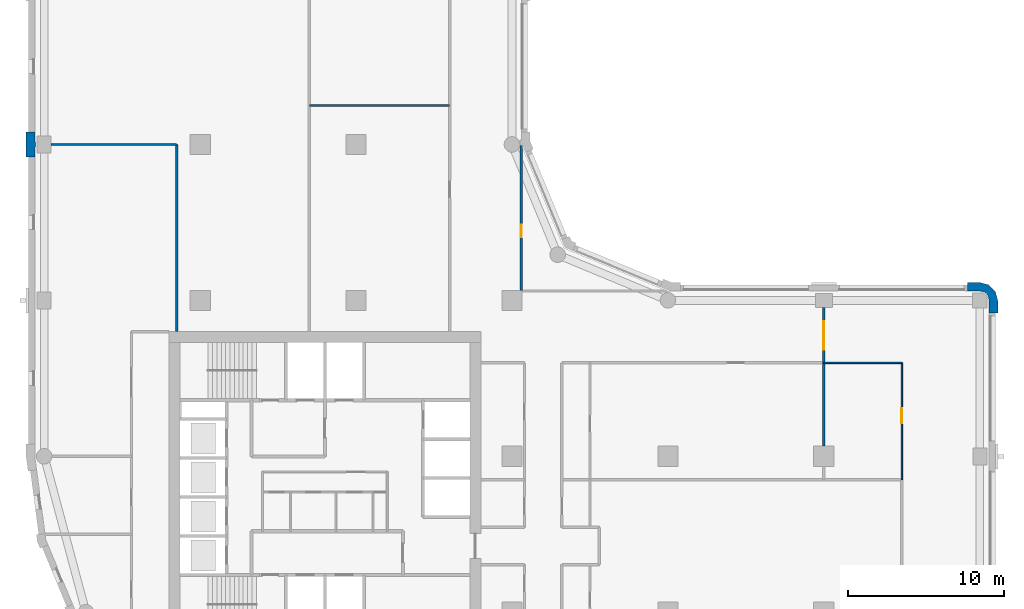
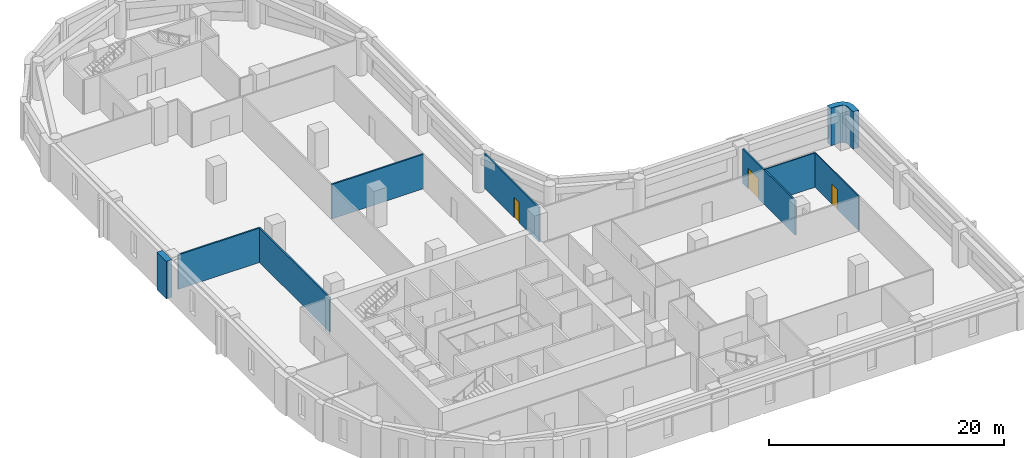
# One storey, part 5 of 9: 9 walls, 3 doors, 3 openings.
"""IFC4 building model written with IfcOpenShell, lengths in metres."""

from ifc_helpers import new_model, si_unit, direction, frame, frame_2d, origin, place, context, subcontext, project, spatial, polyline, rectangle, outline, extrude, material, layer, layer_set, type_object, element, fill, save


model = new_model("IFC4")

# Units and contexts
model_context = context("Model", 3, precision=1e-05, world=origin(), true_north=direction((0.0, 1.0)))
body_context = subcontext(model_context, "Body", "Model", "MODEL_VIEW")
ifc_project = project(units=[si_unit("LENGTHUNIT", "METRE"), si_unit("AREAUNIT", "SQUARE_METRE"), si_unit("VOLUMEUNIT", "CUBIC_METRE"), si_unit("PLANEANGLEUNIT", "RADIAN"), si_unit("MASSUNIT", "GRAM", prefix="KILO")], contexts=[model_context])

# Site, building, storey
site_placement = place(None, origin())
site = spatial("IfcSite", under=ifc_project, at=site_placement, CompositionType="ELEMENT")
building_placement = place(site_placement, origin())
building = spatial("IfcBuilding", under=site, at=building_placement, Name="Qaws Garden Tower", CompositionType="ELEMENT")
storey_placement = place(building_placement, frame((0.0, 0.0, 170.699951171875)))
storey = spatial("IfcBuildingStorey", under=building, at=storey_placement, Name="L41", CompositionType="ELEMENT", Elevation=170.699951171875)

# Walls
ifc_material_1 = material(Name="Clay facing brick masonry", Category="masonry")
ifc_layer_1 = layer(ifc_material_1, 0.550048828125)
ifc_layer_set_1 = layer_set([ifc_layer_1], Name="Clay facing brick masonry")
wall_type_1 = type_object("IfcWallType", Name="Brick corner pier 550 x 2400", PredefinedType="SOLIDWALL", material=ifc_layer_set_1)
placement = place(storey_placement, origin())
element("IfcWall", 1, at=placement, inside=storey, type_object=wall_type_1, Name="E-L41-pier-07", PredefinedType="SOLIDWALL", context=body_context, shape_type="SweptSolid", body=[
    extrude(outline(polyline([(61.0, 29.199951171875), (61.14990234375, 29.199951171875), (61.14990234375, 30.0), (60.995849609375, 30.574951171875), (60.574951171875, 30.995849609375), (60.0, 31.14990234375), (59.199951171875, 31.14990234375), (59.199951171875, 31.0), (59.199951171875, 30.60009765625), (60.0, 30.60009765625), (60.300048828125, 30.51953125), (60.51953125, 30.300048828125), (60.60009765625, 30.0), (60.60009765625, 29.199951171875), (61.0, 29.199951171875)])), origin(), (0.0, 0.0, 1.0), 3.900146484375),
])
ifc_material_2 = material(Name="Clay facing brick masonry", Category="masonry")
ifc_layer_2 = layer(ifc_material_2, 0.550048828125)
ifc_layer_set_2 = layer_set([ifc_layer_2], Name="Clay facing brick masonry")
wall_type_2 = type_object("IfcWallType", Name="Brick pier 550 x 1600", PredefinedType="SOLIDWALL", material=ifc_layer_set_2)
element("IfcWall", 2, at=placement, inside=storey, type_object=wall_type_2, Name="E-L41-pier-23", PredefinedType="SOLIDWALL", context=body_context, shape_type="SweptSolid", body=[
    extrude(outline(polyline([(-0.60009765625, 39.199951171875), (-0.60009765625, 39.85009765625), (-0.550048828125, 39.85009765625), (-0.550048828125, 40.14990234375), (-0.60009765625, 40.14990234375), (-0.60009765625, 40.800048828125), (-1.0, 40.800048828125), (-1.14990234375, 40.800048828125), (-1.14990234375, 40.0), (-1.14990234375, 39.199951171875), (-1.0, 39.199951171875), (-0.60009765625, 39.199951171875)])), origin(), (0.0, 0.0, 1.0), 3.900146484375),
])

# Wall, opening, door
ifc_material_3 = material(Name="Gypsum board partition")
ifc_layer_3 = layer(ifc_material_3, 0.10009765625)
ifc_layer_set_3 = layer_set([ifc_layer_3], Name="Gypsum board partition")
wall_type_3 = type_object("IfcWallType", Name="PARTITION 100", PredefinedType="PARTITIONING", material=ifc_layer_set_3)
wall_3_placement = place(storey_placement, frame((55.0, 18.5, 0.0), z_axis=(0.0, 0.0, 1.0), x_axis=(0.0, 1.0, 0.0)))
wall_3 = element("IfcWall", 3, at=wall_3_placement, inside=storey, type_object=wall_type_3, Name="O-L41-wall-003", PredefinedType="PARTITIONING", context=body_context, shape_type="SweptSolid", body=[
    extrude(rectangle(XDim=7.5, YDim=0.10009765625, at=frame_2d((3.75, 0.0))), origin(), (0.0, 0.0, 1.0), 3.580078125),
])
opening_1_placement = place(wall_3_placement, frame((3.625, 0.0, 0.0)))
opening_1 = element("IfcOpeningElement", 4, at=opening_1_placement, cuts=wall_3, Name="Opening B422", PredefinedType="OPENING", context=body_context, shape_type="SweptSolid", body=[
    extrude(rectangle(XDim=0.949951171875, YDim=2.10009765625, at=frame_2d((0.47509765625, 1.050048828125))), frame((0.0, 0.06005859375, 0.0), z_axis=(0.0, -1.0, 0.0), x_axis=(1.0, 0.0, 0.0)), (0.0, 0.0, 1.0), 0.1201171875),
])
ifc_material_4 = material(Name="Timber and glass door leaf", Category="wood")
door_type_1 = type_object("IfcDoorType", Name="GLAZED DOOR 950 X 2100", OperationType="SINGLE_SWING_LEFT", PredefinedType="DOOR", material=ifc_material_4)
door_1_placement = place(opening_1_placement, origin())
door_1 = element("IfcDoor", 5, at=door_1_placement, inside=storey, type_object=door_type_1, Name="O-L41-door-022", OperationType="SINGLE_SWING_RIGHT", OverallHeight=2.10009765625, OverallWidth=0.949951171875, PredefinedType="DOOR", context=body_context, shape_type="SweptSolid", body=[
    extrude(rectangle(XDim=0.949951171875, YDim=2.10009765625, at=frame_2d((0.47509765625, 1.050048828125))), frame((0.0, 0.02490234375, 0.0), z_axis=(0.0, -1.0, 0.0), x_axis=(1.0, 0.0, 0.0)), (0.0, 0.0, 1.0), 0.050048828125),
])
fill(opening_1, door_1)

# Walls
wall_4_placement = place(storey_placement, frame((50.0, 26.0, 0.0), z_axis=(0.0, 0.0, 1.0), x_axis=(1.0, 0.0, 0.0)))
element("IfcWall", 6, at=wall_4_placement, inside=storey, type_object=wall_type_3, Name="O-L41-wall-005", PredefinedType="PARTITIONING", context=body_context, shape_type="SweptSolid", body=[
    extrude(rectangle(XDim=5.0, YDim=0.10009765625, at=frame_2d((2.5, 0.0))), origin(), (0.0, 0.0, 1.0), 3.580078125),
])
ifc_material_5 = material(Name="Gypsum board partition")
ifc_layer_4 = layer(ifc_material_5, 0.14990234375)
ifc_layer_set_4 = layer_set([ifc_layer_4], Name="Gypsum board partition")
wall_type_4 = type_object("IfcWallType", Name="PARTITION 150 EI 60", PredefinedType="PARTITIONING", material=ifc_layer_set_4)
wall_5_placement = place(storey_placement, frame((8.5, 28.0, 0.0), z_axis=(0.0, 0.0, 1.0), x_axis=(0.0, 1.0, 0.0)))
element("IfcWall", 7, at=wall_5_placement, inside=storey, type_object=wall_type_4, Name="O-L41-wall-008", PredefinedType="PARTITIONING", context=body_context, shape_type="SweptSolid", body=[
    extrude(rectangle(XDim=12.0, YDim=0.14990234375, at=frame_2d((6.0, 0.0))), origin(), (0.0, 0.0, 1.0), 3.580078125),
])

# Wall, opening, door
wall_6_placement = place(storey_placement, frame((30.60009765625, 30.64990234375, 0.0), z_axis=(0.0, 0.0, 1.0), x_axis=(0.0, 1.0, 0.0)))
wall_6 = element("IfcWall", 8, at=wall_6_placement, inside=storey, type_object=wall_type_4, Name="O-L41-wall-015", PredefinedType="PARTITIONING", context=body_context, shape_type="SweptSolid", body=[
    extrude(rectangle(XDim=9.288330078125, YDim=0.14990234375, at=frame_2d((4.64404296875, 0.0))), origin(), (0.0, 0.0, 1.0), 3.580078125),
])
opening_2_placement = place(wall_6_placement, frame((3.39990234375, 0.0, 0.0)))
opening_2 = element("IfcOpeningElement", 9, at=opening_2_placement, cuts=wall_6, Name="Opening B413", PredefinedType="OPENING", context=body_context, shape_type="SweptSolid", body=[
    extrude(rectangle(XDim=0.800048828125, YDim=2.10009765625, at=frame_2d((0.39990234375, 1.050048828125))), frame((0.0, 0.0849609375, 0.0), z_axis=(0.0, -1.0, 0.0), x_axis=(1.0, 0.0, 0.0)), (0.0, 0.0, 1.0), 0.169921875),
])
ifc_material_6 = material(Name="Timber door leaf", Category="wood")
door_type_2 = type_object("IfcDoorType", Name="STORE DOOR 800 X 2100", OperationType="SINGLE_SWING_LEFT", PredefinedType="DOOR", material=ifc_material_6)
door_2_placement = place(opening_2_placement, frame((0.800048828125, 0.0, 0.0), z_axis=(0.0, 0.0, 1.0), x_axis=(-1.0, 0.0, 0.0)))
door_2 = element("IfcDoor", 10, at=door_2_placement, inside=storey, type_object=door_type_2, Name="O-L41-door-013", OperationType="SINGLE_SWING_LEFT", OverallHeight=2.10009765625, OverallWidth=0.800048828125, PredefinedType="DOOR", context=body_context, shape_type="SweptSolid", body=[
    extrude(rectangle(XDim=0.800048828125, YDim=2.10009765625, at=frame_2d((0.39990234375, 1.050048828125))), frame((0.0, 0.02490234375, 0.0), z_axis=(0.0, -1.0, 0.0), x_axis=(1.0, 0.0, 0.0)), (0.0, 0.0, 1.0), 0.050048828125),
])
fill(opening_2, door_2)

wall_7_placement = place(storey_placement, frame((50.0, 20.64990234375, 0.0), z_axis=(0.0, 0.0, 1.0), x_axis=(0.0, 1.0, 0.0)))
wall_7 = element("IfcWall", 11, at=wall_7_placement, inside=storey, type_object=wall_type_4, Name="O-L41-wall-027", PredefinedType="PARTITIONING", context=body_context, shape_type="SweptSolid", body=[
    extrude(rectangle(XDim=8.900146484375, YDim=0.14990234375, at=frame_2d((4.4501953125, 0.0))), origin(), (0.0, 0.0, 1.0), 3.580078125),
])
opening_3_placement = place(wall_7_placement, frame((6.199951171875, 0.0, 0.0)))
opening_3 = element("IfcOpeningElement", 12, at=opening_3_placement, cuts=wall_7, Name="Opening B406", PredefinedType="OPENING", context=body_context, shape_type="SweptSolid", body=[
    extrude(rectangle(XDim=1.800048828125, YDim=2.10009765625, at=frame_2d((0.89990234375, 1.050048828125))), frame((0.0, 0.0849609375, 0.0), z_axis=(0.0, -1.0, 0.0), x_axis=(1.0, 0.0, 0.0)), (0.0, 0.0, 1.0), 0.169921875),
])
ifc_material_7 = material(Name="Timber door leaf", Category="wood")
door_type_3 = type_object("IfcDoorType", Name="DOUBLE DOOR 1800 X 2100", OperationType="DOUBLE_DOOR_SINGLE_SWING", PredefinedType="DOOR", material=ifc_material_7)
door_3_placement = place(opening_3_placement, frame((1.800048828125, 0.0, 0.0), z_axis=(0.0, 0.0, 1.0), x_axis=(-1.0, 0.0, 0.0)))
door_3 = element("IfcDoor", 13, at=door_3_placement, inside=storey, type_object=door_type_3, Name="O-L41-door-006", OperationType="DOUBLE_DOOR_SINGLE_SWING", OverallHeight=2.10009765625, OverallWidth=1.800048828125, PredefinedType="DOOR", context=body_context, shape_type="SweptSolid", body=[
    extrude(rectangle(XDim=1.800048828125, YDim=2.10009765625, at=frame_2d((0.89990234375, 1.050048828125))), frame((0.0, 0.02490234375, 0.0), z_axis=(0.0, -1.0, 0.0), x_axis=(1.0, 0.0, 0.0)), (0.0, 0.0, 1.0), 0.050048828125),
])
fill(opening_3, door_3)

# Walls
wall_8_placement = place(storey_placement, frame((0.449951171875, 40.0, 0.0), z_axis=(0.0, 0.0, 1.0), x_axis=(1.0, 0.0, 0.0)))
element("IfcWall", 14, at=wall_8_placement, inside=storey, type_object=wall_type_4, Name="O-L41-wall-046", PredefinedType="PARTITIONING", context=body_context, shape_type="SweptSolid", body=[
    extrude(rectangle(XDim=8.050048828125, YDim=0.14990234375, at=frame_2d((4.02490234375, 0.0))), origin(), (0.0, 0.0, 1.0), 3.580078125),
])
wall_9_placement = place(storey_placement, frame((17.0, 42.5, 0.0), z_axis=(0.0, 0.0, 1.0), x_axis=(1.0, 0.0, 0.0)))
element("IfcWall", 15, at=wall_9_placement, inside=storey, type_object=wall_type_4, Name="O-L41-wall-047", PredefinedType="PARTITIONING", context=body_context, shape_type="SweptSolid", body=[
    extrude(rectangle(XDim=9.0, YDim=0.14990234375, at=frame_2d((4.5, 0.0))), origin(), (0.0, 0.0, 1.0), 3.580078125),
])

save(model, "model.ifc")
